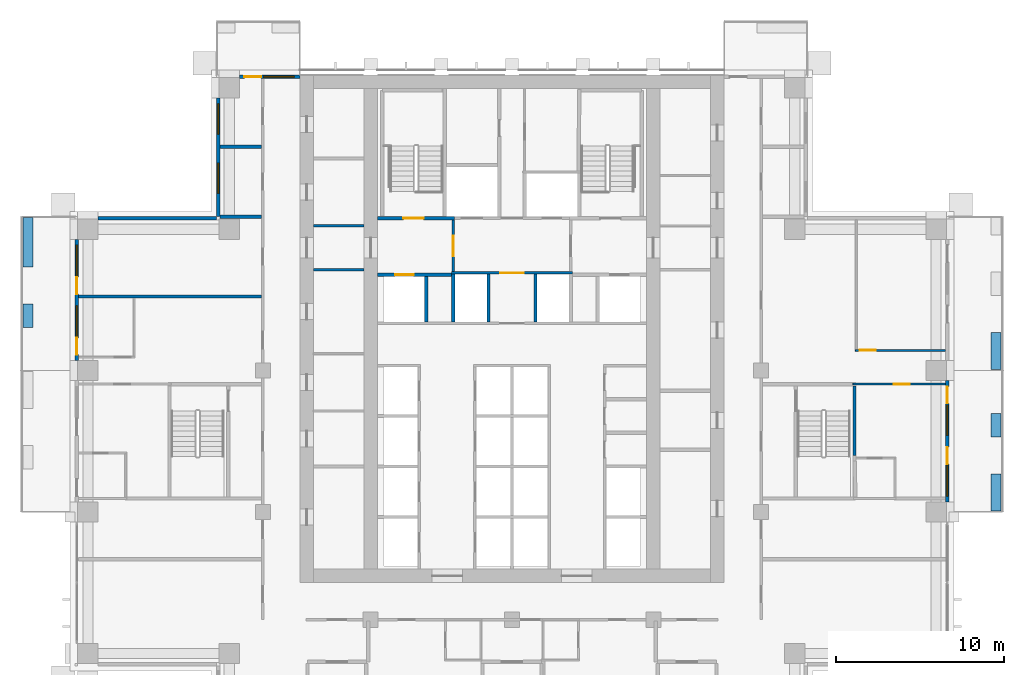
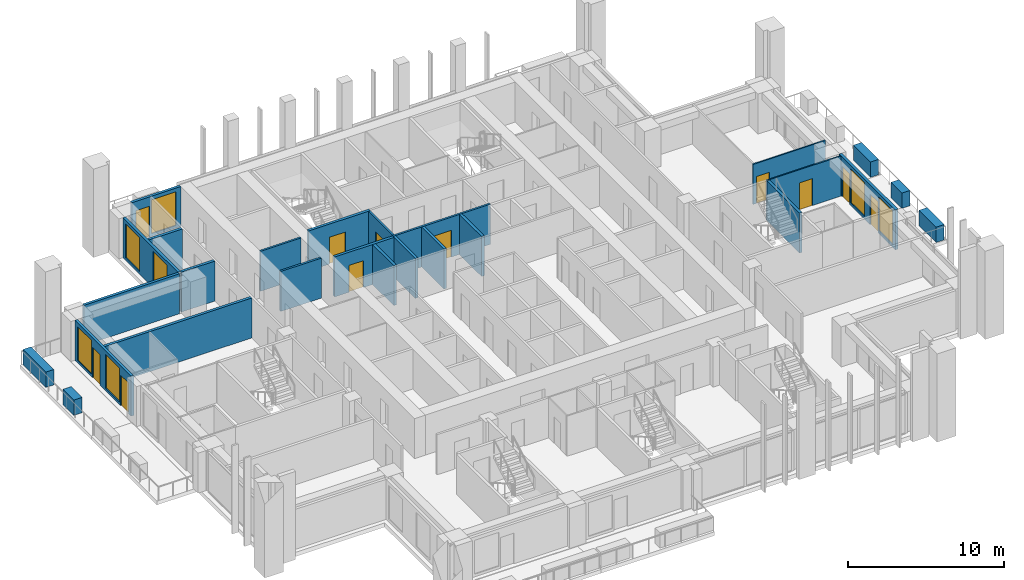
# One storey, part 10 of 17: 26 walls, 11 doors, 7 windows, 18 openings.
"""IFC4 building model written with IfcOpenShell, lengths in metres."""

from ifc_helpers import new_model, si_unit, direction, frame, frame_2d, origin, place, context, subcontext, project, spatial, rectangle, extrude, material, layer, layer_set, type_object, element, fill, save


model = new_model("IFC4")

# Units and contexts
model_context = context("Model", 3, precision=1e-05, world=origin(), true_north=direction((0.0, 1.0)))
body_context = subcontext(model_context, "Body", "Model", "MODEL_VIEW")
ifc_project = project(units=[si_unit("LENGTHUNIT", "METRE"), si_unit("AREAUNIT", "SQUARE_METRE"), si_unit("VOLUMEUNIT", "CUBIC_METRE"), si_unit("PLANEANGLEUNIT", "RADIAN"), si_unit("MASSUNIT", "GRAM", prefix="KILO")], contexts=[model_context])

# Site, building, storey
site_placement = place(None, origin())
site = spatial("IfcSite", under=ifc_project, at=site_placement, CompositionType="ELEMENT")
building_placement = place(site_placement, origin())
building = spatial("IfcBuilding", under=site, at=building_placement, Name="Vermilion Ogive Tower", CompositionType="ELEMENT")
storey_placement = place(building_placement, frame((0.0, 0.0, 97.64990234375)))
storey = spatial("IfcBuildingStorey", under=building, at=storey_placement, Name="L24", CompositionType="ELEMENT", Elevation=97.64990234375)

# Wall, opening, door
ifc_material_1 = material(Name="Gypsum board partition on steel studs", Category="steel")
ifc_layer_1 = layer(ifc_material_1, 0.10009765625)
ifc_layer_set_1 = layer_set([ifc_layer_1], Name="Partition 100 inner")
wall_type_1 = type_object("IfcWallType", Name="Partition 100 inner", PredefinedType="PARTITIONING", material=ifc_layer_set_1)
wall_1_placement = place(storey_placement, frame((20.25, 3.39990234375, 0.0), z_axis=(0.0, 0.0, 1.0), x_axis=(1.0, 0.0, 0.0)))
wall_1 = element("IfcWall", 1, at=wall_1_placement, inside=storey, type_object=wall_type_1, Name="L24-W-W024", PredefinedType="PARTITIONING", context=body_context, shape_type="SweptSolid", body=[
    extrude(rectangle(XDim=5.5, YDim=0.10009765625, at=frame_2d((2.75, 0.0))), origin(), (0.0, 0.0, 1.0), 3.130126953125),
])
opening_1_placement = place(wall_1_placement, frame((2.425048828125, 0.0, 0.0)))
opening_1 = element("IfcOpeningElement", 2, at=opening_1_placement, cuts=wall_1, Name="Opening D2G3016", PredefinedType="OPENING", context=body_context, shape_type="SweptSolid", body=[
    extrude(rectangle(XDim=0.949951171875, YDim=2.10009765625, at=frame_2d((0.47509765625, 1.050048828125))), frame((0.0, 0.06005859375, 0.0), z_axis=(0.0, -1.0, 0.0), x_axis=(1.0, 0.0, 0.0)), (0.0, 0.0, 1.0), 0.1201171875),
])
ifc_material_2 = material(Name="Timber door leaf", Category="wood")
door_type_1 = type_object("IfcDoorType", Name="Inner door 950 x 2100 FD30", OperationType="SINGLE_SWING_LEFT", PredefinedType="DOOR", material=ifc_material_2)
door_1_placement = place(opening_1_placement, origin())
door_1 = element("IfcDoor", 3, at=door_1_placement, inside=storey, type_object=door_type_1, Name="L24-D-D016", OperationType="SINGLE_SWING_LEFT", OverallHeight=2.10009765625, OverallWidth=0.949951171875, PredefinedType="DOOR", context=body_context, shape_type="SweptSolid", body=[
    extrude(rectangle(XDim=0.949951171875, YDim=2.10009765625, at=frame_2d((0.47509765625, 1.050048828125))), frame((0.0, 0.02490234375, 0.0), z_axis=(0.0, -1.0, 0.0), x_axis=(1.0, 0.0, 0.0)), (0.0, 0.0, 1.0), 0.050048828125),
])
fill(opening_1, door_1)

wall_2_placement = place(storey_placement, frame((20.39990234375, 5.39990234375, 0.0), z_axis=(0.0, 0.0, 1.0), x_axis=(1.0, 0.0, 0.0)))
wall_2 = element("IfcWall", 4, at=wall_2_placement, inside=storey, type_object=wall_type_1, Name="L24-W-W026", PredefinedType="PARTITIONING", context=body_context, shape_type="SweptSolid", body=[
    extrude(rectangle(XDim=5.35009765625, YDim=0.10009765625, at=frame_2d((2.675048828125, 0.0))), origin(), (0.0, 0.0, 1.0), 3.130126953125),
])
opening_2_placement = place(wall_2_placement, frame((0.25, 0.0, 0.0)))
opening_2 = element("IfcOpeningElement", 5, at=opening_2_placement, cuts=wall_2, Name="Opening D2G3014", PredefinedType="OPENING", context=body_context, shape_type="SweptSolid", body=[
    extrude(rectangle(XDim=0.949951171875, YDim=2.10009765625, at=frame_2d((0.47509765625, 1.050048828125))), frame((0.0, 0.06005859375, 0.0), z_axis=(0.0, -1.0, 0.0), x_axis=(1.0, 0.0, 0.0)), (0.0, 0.0, 1.0), 0.1201171875),
])
door_2_placement = place(opening_2_placement, origin())
door_2 = element("IfcDoor", 6, at=door_2_placement, inside=storey, type_object=door_type_1, Name="L24-D-D014", OperationType="SINGLE_SWING_LEFT", OverallHeight=2.10009765625, OverallWidth=0.949951171875, PredefinedType="DOOR", context=body_context, shape_type="SweptSolid", body=[
    extrude(rectangle(XDim=0.949951171875, YDim=2.10009765625, at=frame_2d((0.47509765625, 1.050048828125))), frame((0.0, 0.02490234375, 0.0), z_axis=(0.0, -1.0, 0.0), x_axis=(1.0, 0.0, 0.0)), (0.0, 0.0, 1.0), 0.050048828125),
])
fill(opening_2, door_2)

ifc_material_3 = material(Name="Gypsum board partition on steel studs", Category="steel")
ifc_layer_2 = layer(ifc_material_3, 0.14990234375)
ifc_layer_set_2 = layer_set([ifc_layer_2], Name="Partition 150 corridor")
wall_type_2 = type_object("IfcWallType", Name="Partition 150 corridor", PredefinedType="PARTITIONING", material=ifc_layer_set_2)
wall_3_placement = place(storey_placement, frame((-3.60009765625, 10.0, 0.0), z_axis=(0.0, 0.0, 1.0), x_axis=(1.0, 0.0, 0.0)))
wall_3 = element("IfcWall", 7, at=wall_3_placement, inside=storey, type_object=wall_type_2, Name="L24-CK-W-W017", PredefinedType="PARTITIONING", context=body_context, shape_type="SweptSolid", body=[
    extrude(rectangle(XDim=7.2001953125, YDim=0.14990234375, at=frame_2d((3.60009765625, 0.0))), origin(), (0.0, 0.0, 1.0), 3.130126953125),
])
opening_3_placement = place(wall_3_placement, frame((2.900146484375, 0.0, 0.0)))
opening_3 = element("IfcOpeningElement", 8, at=opening_3_placement, cuts=wall_3, Name="Opening DAA187", PredefinedType="OPENING", context=body_context, shape_type="SweptSolid", body=[
    extrude(rectangle(XDim=1.39990234375, YDim=2.10009765625, at=frame_2d((0.699951171875, 1.050048828125))), frame((0.0, 0.0849609375, 0.0), z_axis=(0.0, -1.0, 0.0), x_axis=(1.0, 0.0, 0.0)), (0.0, 0.0, 1.0), 0.169921875),
])
ifc_material_4 = material(Name="Timber door leaf", Category="wood")
door_type_2 = type_object("IfcDoorType", Name="Lobby door 1400 x 2100 FD60S", OperationType="SINGLE_SWING_LEFT", PredefinedType="DOOR", material=ifc_material_4)
door_3_placement = place(opening_3_placement, origin())
door_3 = element("IfcDoor", 9, at=door_3_placement, inside=storey, type_object=door_type_2, Name="L24-CK-D-D017", OperationType="SINGLE_SWING_RIGHT", OverallHeight=2.10009765625, OverallWidth=1.39990234375, PredefinedType="DOOR", context=body_context, shape_type="SweptSolid", body=[
    extrude(rectangle(XDim=1.39990234375, YDim=2.10009765625, at=frame_2d((0.699951171875, 1.050048828125))), frame((0.0, 0.02490234375, 0.0), z_axis=(0.0, -1.0, 0.0), x_axis=(1.0, 0.0, 0.0)), (0.0, 0.0, 1.0), 0.050048828125),
])
fill(opening_3, door_3)

wall_4_placement = place(storey_placement, frame((-3.5, 10.074951171875, 0.0), z_axis=(0.0, 0.0, 1.0), x_axis=(0.0, 1.0, 0.0)))
wall_4 = element("IfcWall", 10, at=wall_4_placement, inside=storey, type_object=wall_type_2, Name="L24-CK-W-W027", PredefinedType="PARTITIONING", context=body_context, shape_type="SweptSolid", body=[
    extrude(rectangle(XDim=3.074951171875, YDim=0.14990234375, at=frame_2d((1.53759765625, 0.0))), origin(), (0.0, 0.0, 1.0), 3.130126953125),
])
opening_4_placement = place(wall_4_placement, frame((0.925048828125, 0.0, 0.0)))
opening_4 = element("IfcOpeningElement", 11, at=opening_4_placement, cuts=wall_4, Name="Opening DAA184", PredefinedType="OPENING", context=body_context, shape_type="SweptSolid", body=[
    extrude(rectangle(XDim=1.199951171875, YDim=2.10009765625, at=frame_2d((0.60009765625, 1.050048828125))), frame((0.0, 0.0849609375, 0.0), z_axis=(0.0, -1.0, 0.0), x_axis=(1.0, 0.0, 0.0)), (0.0, 0.0, 1.0), 0.169921875),
])
ifc_material_5 = material(Name="Timber door leaf", Category="wood")
door_type_3 = type_object("IfcDoorType", Name="Lobby door 1200 x 2100 FD60S", OperationType="SINGLE_SWING_LEFT", PredefinedType="DOOR", material=ifc_material_5)
door_4_placement = place(opening_4_placement, origin())
door_4 = element("IfcDoor", 12, at=door_4_placement, inside=storey, type_object=door_type_3, Name="L24-CK-D-D023", OperationType="SINGLE_SWING_RIGHT", OverallHeight=2.10009765625, OverallWidth=1.199951171875, PredefinedType="DOOR", context=body_context, shape_type="SweptSolid", body=[
    extrude(rectangle(XDim=1.199951171875, YDim=2.10009765625, at=frame_2d((0.60009765625, 1.050048828125))), frame((0.0, 0.02490234375, 0.0), z_axis=(0.0, -1.0, 0.0), x_axis=(1.0, 0.0, 0.0)), (0.0, 0.0, 1.0), 0.050048828125),
])
fill(opening_4, door_4)

# Walls
for number, where, z_axis, x_axis, name in (
    (13, (-11.799072265625, 10.199951171875, 0.0), (0.0, 0.0, 1.0), (1.0, 0.0, 0.0), "L24-CKW-W-W004"),
    (14, (-11.799072265625, 12.800048828125, 0.0), (0.0, 0.0, 1.0), (1.0, 0.0, 0.0), "L24-CKW-W-W005"),
):
    element("IfcWall", number, at=place(storey_placement, frame(where, z_axis=z_axis, x_axis=x_axis)), inside=storey, type_object=wall_type_2, Name=name, PredefinedType="PARTITIONING", context=body_context, shape_type="SweptSolid", body=[
        extrude(rectangle(XDim=2.998046875, YDim=0.14990234375, at=frame_2d((1.4990234375, 0.0))), origin(), (0.0, 0.0, 1.0), 3.130126953125),
    ])
ifc_material_6 = material(Name="Gypsum board partition on steel studs", Category="steel")
ifc_layer_3 = layer(ifc_material_6, 0.199951171875)
ifc_layer_set_3 = layer_set([ifc_layer_3], Name="Partition 200 party")
wall_type_3 = type_object("IfcWallType", Name="Partition 200 party", PredefinedType="PARTITIONING", material=ifc_layer_set_3)
wall_5_placement = place(storey_placement, frame((-25.75, 8.60009765625, 0.0), z_axis=(0.0, 0.0, 1.0), x_axis=(1.0, 0.0, 0.0)))
element("IfcWall", 15, at=wall_5_placement, inside=storey, type_object=wall_type_3, Name="L24-W-W027", PredefinedType="PARTITIONING", context=body_context, shape_type="SweptSolid", body=[
    extrude(rectangle(XDim=10.875, YDim=0.199951171875, at=frame_2d((5.4375, 0.0))), origin(), (0.0, 0.0, 1.0), 3.130126953125),
])
for number, where, z_axis, x_axis, name in (
    (16, (-17.35009765625, 13.35009765625, 0.0), (0.0, 0.0, 1.0), (1.0, 0.0, 0.0), "L24-W-W028"),
    (17, (-17.35009765625, 17.5, 0.0), (0.0, 0.0, 1.0), (1.0, 0.0, 0.0), "L24-W-W030"),
):
    element("IfcWall", number, at=place(storey_placement, frame(where, z_axis=z_axis, x_axis=x_axis)), inside=storey, type_object=wall_type_3, Name=name, PredefinedType="PARTITIONING", context=body_context, shape_type="SweptSolid", body=[
        extrude(rectangle(XDim=2.47509765625, YDim=0.199951171875, at=frame_2d((1.237548828125, 0.0))), origin(), (0.0, 0.0, 1.0), 3.130126953125),
    ])

# Wall, opening, door
wall_6_placement = place(storey_placement, frame((-7.9990234375, 9.89990234375, 0.0), z_axis=(0.0, 0.0, 1.0), x_axis=(1.0, 0.0, 0.0)))
wall_6 = element("IfcWall", 18, at=wall_6_placement, inside=storey, type_object=wall_type_3, Name="L24-CK-W-W015", PredefinedType="PARTITIONING", context=body_context, shape_type="SweptSolid", body=[
    extrude(rectangle(XDim=4.39892578125, YDim=0.199951171875, at=frame_2d((2.199462890625, 0.0))), origin(), (0.0, 0.0, 1.0), 3.130126953125),
])
opening_5_placement = place(wall_6_placement, frame((1.049072265625, 0.0, 0.0)))
opening_5 = element("IfcOpeningElement", 19, at=opening_5_placement, cuts=wall_6, Name="Opening DAA206", PredefinedType="OPENING", context=body_context, shape_type="SweptSolid", body=[
    extrude(rectangle(XDim=1.10009765625, YDim=2.10009765625, at=frame_2d((0.550048828125, 1.050048828125))), frame((0.0, 0.10986328125, 0.0), z_axis=(0.0, -1.0, 0.0), x_axis=(1.0, 0.0, 0.0)), (0.0, 0.0, 1.0), 0.219970703125),
])
ifc_material_7 = material(Name="Stainless steel", Category="steel")
door_type_4 = type_object("IfcDoorType", Name="Lift landing door 1100 x 2100", OperationType="SLIDING_TO_LEFT", PredefinedType="DOOR", material=ifc_material_7)
door_5_placement = place(opening_5_placement, origin())
door_5 = element("IfcDoor", 20, at=door_5_placement, inside=storey, type_object=door_type_4, Name="L24-CK-D-D013", OperationType="SLIDING_TO_LEFT", OverallHeight=2.10009765625, OverallWidth=1.10009765625, PredefinedType="DOOR", context=body_context, shape_type="SweptSolid", body=[
    extrude(rectangle(XDim=1.10009765625, YDim=2.10009765625, at=frame_2d((0.550048828125, 1.050048828125))), frame((0.0, 0.02490234375, 0.0), z_axis=(0.0, -1.0, 0.0), x_axis=(1.0, 0.0, 0.0)), (0.0, 0.0, 1.0), 0.050048828125),
])
fill(opening_5, door_5)

# Walls
wall_7_placement = place(storey_placement, frame((-5.10009765625, 7.074951171875, 0.0), z_axis=(0.0, 0.0, 1.0), x_axis=(0.0, 1.0, 0.0)))
element("IfcWall", 21, at=wall_7_placement, inside=storey, type_object=wall_type_3, Name="L24-CK-W-W024", PredefinedType="PARTITIONING", context=body_context, shape_type="SweptSolid", body=[
    extrude(rectangle(XDim=2.72509765625, YDim=0.199951171875, at=frame_2d((1.362548828125, 0.0))), origin(), (0.0, 0.0, 1.0), 3.130126953125),
])
for number, where, z_axis, x_axis, name in (
    (22, (-3.5, 7.074951171875, 0.0), (0.0, 0.0, 1.0), (0.0, 1.0, 0.0), "L24-CK-W-W026"),
    (23, (-1.39990234375, 7.074951171875, 0.0), (0.0, 0.0, 1.0), (0.0, 1.0, 0.0), "L24-CK-W-W029"),
    (24, (1.39990234375, 7.074951171875, 0.0), (0.0, 0.0, 1.0), (0.0, 1.0, 0.0), "L24-CK-W-W034"),
):
    element("IfcWall", number, at=place(storey_placement, frame(where, z_axis=z_axis, x_axis=x_axis)), inside=storey, type_object=wall_type_3, Name=name, PredefinedType="PARTITIONING", context=body_context, shape_type="SweptSolid", body=[
        extrude(rectangle(XDim=2.85009765625, YDim=0.199951171875, at=frame_2d((1.425048828125, 0.0))), origin(), (0.0, 0.0, 1.0), 3.130126953125),
    ])
ifc_material_8 = material(Name="Concrete B60", Category="concrete")
ifc_layer_4 = layer(ifc_material_8, 0.199951171875)
ifc_layer_set_4 = layer_set([ifc_layer_4], Name="Stair shaft wall 200 Concrete B60")
wall_type_4 = type_object("IfcWallType", Name="Stair shaft wall 200 Concrete B60", PredefinedType="SOLIDWALL", material=ifc_layer_set_4)
wall_8_placement = place(storey_placement, frame((20.35009765625, -0.830078125, 0.0), z_axis=(0.0, 0.0, 1.0), x_axis=(0.0, 1.0, 0.0)))
element("IfcWall", 25, at=wall_8_placement, inside=storey, type_object=wall_type_4, Name="L24-W-W049", PredefinedType="SOLIDWALL", context=body_context, shape_type="SweptSolid", body=[
    extrude(rectangle(XDim=4.130126953125, YDim=0.199951171875, at=frame_2d((2.06494140625, 0.0))), origin(), (0.0, 0.0, 1.0), 3.130126953125),
])

# Wall, opening, door
wall_9_placement = place(storey_placement, frame((-7.9990234375, 13.25, 0.0), z_axis=(0.0, 0.0, 1.0), x_axis=(1.0, 0.0, 0.0)))
wall_9 = element("IfcWall", 26, at=wall_9_placement, inside=storey, type_object=wall_type_4, Name="L24-CK-W-W018", PredefinedType="SOLIDWALL", context=body_context, shape_type="SweptSolid", body=[
    extrude(rectangle(XDim=4.573974609375, YDim=0.199951171875, at=frame_2d((2.287109375, 0.0))), origin(), (0.0, 0.0, 1.0), 3.130126953125),
])
opening_6_placement = place(wall_9_placement, frame((1.549072265625, 0.0, 0.0)))
opening_6 = element("IfcOpeningElement", 27, at=opening_6_placement, cuts=wall_9, Name="Opening DAA194", PredefinedType="OPENING", context=body_context, shape_type="SweptSolid", body=[
    extrude(rectangle(XDim=1.199951171875, YDim=2.10009765625, at=frame_2d((0.60009765625, 1.050048828125))), frame((0.0, 0.10986328125, 0.0), z_axis=(0.0, -1.0, 0.0), x_axis=(1.0, 0.0, 0.0)), (0.0, 0.0, 1.0), 0.219970703125),
])
ifc_material_9 = material(Name="Timber door leaf", Category="wood")
door_type_5 = type_object("IfcDoorType", Name="Stair door 1200 x 2100 FD60S", OperationType="SINGLE_SWING_LEFT", PredefinedType="DOOR", material=ifc_material_9)
door_6_placement = place(opening_6_placement, origin())
door_6 = element("IfcDoor", 28, at=door_6_placement, inside=storey, type_object=door_type_5, Name="L24-CK-D-D012", OperationType="SINGLE_SWING_LEFT", OverallHeight=2.10009765625, OverallWidth=1.199951171875, PredefinedType="DOOR", context=body_context, shape_type="SweptSolid", body=[
    extrude(rectangle(XDim=1.199951171875, YDim=2.10009765625, at=frame_2d((0.60009765625, 1.050048828125))), frame((0.0, 0.02490234375, 0.0), z_axis=(0.0, -1.0, 0.0), x_axis=(1.0, 0.0, 0.0)), (0.0, 0.0, 1.0), 0.050048828125),
])
fill(opening_6, door_6)

# Walls
ifc_material_10 = material(Name="Concrete B40", Category="concrete")
ifc_layer_5 = layer(ifc_material_10, 0.60009765625)
ifc_layer_set_5 = layer_set([ifc_layer_5], Name="Structural planter")
wall_type_5 = type_object("IfcWallType", Name="Structural planter", PredefinedType="USERDEFINED", material=ifc_layer_set_5)
wall_10_placement = place(storey_placement, frame((28.75, -4.139892578125, -0.039794921875), z_axis=(0.0, 0.0, 1.0), x_axis=(0.0, 1.0, 0.0)))
element("IfcWall", 29, at=wall_10_placement, inside=storey, type_object=wall_type_5, Name="Planter E02A1", ObjectType="PLANTER", PredefinedType="USERDEFINED", context=body_context, shape_type="SweptSolid", body=[
    extrude(rectangle(XDim=2.18994140625, YDim=0.60009765625, at=frame_2d((1.094970703125, 0.0))), origin(), (0.0, 0.0, 1.0), 1.199951171875),
])
wall_11_placement = place(storey_placement, frame((28.75, 0.25, -0.039794921875), z_axis=(0.0, 0.0, 1.0), x_axis=(0.0, 1.0, 0.0)))
element("IfcWall", 30, at=wall_11_placement, inside=storey, type_object=wall_type_5, Name="Planter E02A2", ObjectType="PLANTER", PredefinedType="USERDEFINED", context=body_context, shape_type="SweptSolid", body=[
    extrude(rectangle(XDim=1.39990234375, YDim=0.60009765625, at=frame_2d((0.699951171875, 0.0))), origin(), (0.0, 0.0, 1.0), 1.199951171875),
])
wall_12_placement = place(storey_placement, frame((28.75, 4.260009765625, -0.039794921875), z_axis=(0.0, 0.0, 1.0), x_axis=(0.0, 1.0, 0.0)))
element("IfcWall", 31, at=wall_12_placement, inside=storey, type_object=wall_type_5, Name="Planter E03A1", ObjectType="PLANTER", PredefinedType="USERDEFINED", context=body_context, shape_type="SweptSolid", body=[
    extrude(rectangle(XDim=2.18994140625, YDim=0.60009765625, at=frame_2d((1.094970703125, 0.0))), origin(), (0.0, 0.0, 1.0), 1.199951171875),
])
wall_13_placement = place(storey_placement, frame((-28.75, 13.2900390625, -0.039794921875), z_axis=(0.0, 0.0, 1.0), x_axis=(0.0, -1.0, 0.0)))
element("IfcWall", 32, at=wall_13_placement, inside=storey, type_object=wall_type_5, Name="Planter W01A1", ObjectType="PLANTER", PredefinedType="USERDEFINED", context=body_context, shape_type="SweptSolid", body=[
    extrude(rectangle(XDim=2.93994140625, YDim=0.60009765625, at=frame_2d((1.469970703125, 0.0))), origin(), (0.0, 0.0, 1.0), 1.199951171875),
])
wall_14_placement = place(storey_placement, frame((-28.75, 8.14990234375, -0.039794921875), z_axis=(0.0, 0.0, 1.0), x_axis=(0.0, -1.0, 0.0)))
element("IfcWall", 33, at=wall_14_placement, inside=storey, type_object=wall_type_5, Name="Planter W01A2", ObjectType="PLANTER", PredefinedType="USERDEFINED", context=body_context, shape_type="SweptSolid", body=[
    extrude(rectangle(XDim=1.39990234375, YDim=0.60009765625, at=frame_2d((0.699951171875, 0.0))), origin(), (0.0, 0.0, 1.0), 1.199951171875),
])

# Wall, openings, doors, windows
ifc_material_11 = material(Name="Aluminium window wall framing", Category="aluminium")
ifc_layer_6 = layer(ifc_material_11, 0.199951171875)
ifc_layer_set_6 = layer_set([ifc_layer_6], Name="Window wall")
wall_type_6 = type_object("IfcWallType", Name="Window wall", PredefinedType="STANDARD", material=ifc_layer_set_6)
wall_15_placement = place(storey_placement, frame((25.85009765625, -3.60009765625, 0.0), z_axis=(0.0, 0.0, 1.0), x_axis=(0.0, 1.0, 0.0)))
wall_15 = element("IfcWall", 34, at=wall_15_placement, inside=storey, type_object=wall_type_6, Name="Window wall E2", PredefinedType="STANDARD", context=body_context, shape_type="SweptSolid", body=[
    extrude(rectangle(XDim=7.2001953125, YDim=0.199951171875, at=frame_2d((3.60009765625, 0.0))), origin(), (0.0, 0.0, 1.0), 3.130126953125),
])
opening_7_placement = place(wall_15_placement, frame((0.35009765625, 0.0, 0.199951171875)))
opening_7 = element("IfcOpeningElement", 35, at=opening_7_placement, cuts=wall_15, Name="Opening W1-E99", PredefinedType="OPENING", context=body_context, shape_type="SweptSolid", body=[
    extrude(rectangle(XDim=1.800048828125, YDim=2.64990234375, at=frame_2d((0.89990234375, 1.324951171875))), frame((0.0, 0.10986328125, 0.0), z_axis=(0.0, -1.0, 0.0), x_axis=(1.0, 0.0, 0.0)), (0.0, 0.0, 1.0), 0.219970703125),
])
opening_8_placement = place(wall_15_placement, frame((2.25, 0.0, 0.0)))
opening_8 = element("IfcOpeningElement", 36, at=opening_8_placement, cuts=wall_15, Name="Opening D1-E99", PredefinedType="OPENING", context=body_context, shape_type="SweptSolid", body=[
    extrude(rectangle(XDim=1.0, YDim=2.39990234375, at=frame_2d((0.5, 1.199951171875))), frame((0.0, 0.10986328125, 0.0), z_axis=(0.0, -1.0, 0.0), x_axis=(1.0, 0.0, 0.0)), (0.0, 0.0, 1.0), 0.219970703125),
])
opening_9_placement = place(wall_15_placement, frame((3.949951171875, 0.0, 0.199951171875)))
opening_9 = element("IfcOpeningElement", 37, at=opening_9_placement, cuts=wall_15, Name="Opening W1-E00", PredefinedType="OPENING", context=body_context, shape_type="SweptSolid", body=[
    extrude(rectangle(XDim=1.800048828125, YDim=2.64990234375, at=frame_2d((0.89990234375, 1.324951171875))), frame((0.0, 0.10986328125, 0.0), z_axis=(0.0, -1.0, 0.0), x_axis=(1.0, 0.0, 0.0)), (0.0, 0.0, 1.0), 0.219970703125),
])
opening_10_placement = place(wall_15_placement, frame((5.85009765625, 0.0, 0.0)))
opening_10 = element("IfcOpeningElement", 38, at=opening_10_placement, cuts=wall_15, Name="Opening D1-E00", PredefinedType="OPENING", context=body_context, shape_type="SweptSolid", body=[
    extrude(rectangle(XDim=1.0, YDim=2.39990234375, at=frame_2d((0.5, 1.199951171875))), frame((0.0, 0.10986328125, 0.0), z_axis=(0.0, -1.0, 0.0), x_axis=(1.0, 0.0, 0.0)), (0.0, 0.0, 1.0), 0.219970703125),
])
ifc_material_12 = material(Name="Aluminium framed glazed door", Category="aluminium")
door_type_6 = type_object("IfcDoorType", Name="Balcony door D1", OperationType="SINGLE_SWING_LEFT", PredefinedType="DOOR", material=ifc_material_12)
door_7_placement = place(opening_8_placement, origin())
door_7 = element("IfcDoor", 39, at=door_7_placement, inside=storey, type_object=door_type_6, Name="Balcony door E99", OperationType="SINGLE_SWING_LEFT", OverallHeight=2.39990234375, OverallWidth=1.0, PredefinedType="DOOR", context=body_context, shape_type="SweptSolid", body=[
    extrude(rectangle(XDim=1.0, YDim=2.39990234375, at=frame_2d((0.5, 1.199951171875))), frame((0.0, 0.02490234375, 0.0), z_axis=(0.0, -1.0, 0.0), x_axis=(1.0, 0.0, 0.0)), (0.0, 0.0, 1.0), 0.050048828125),
])
fill(opening_8, door_7)
door_8_placement = place(opening_10_placement, origin())
door_8 = element("IfcDoor", 40, at=door_8_placement, inside=storey, type_object=door_type_6, Name="Balcony door E00", OperationType="SINGLE_SWING_LEFT", OverallHeight=2.39990234375, OverallWidth=1.0, PredefinedType="DOOR", context=body_context, shape_type="SweptSolid", body=[
    extrude(rectangle(XDim=1.0, YDim=2.39990234375, at=frame_2d((0.5, 1.199951171875))), frame((0.0, 0.02490234375, 0.0), z_axis=(0.0, -1.0, 0.0), x_axis=(1.0, 0.0, 0.0)), (0.0, 0.0, 1.0), 0.050048828125),
])
fill(opening_10, door_8)
ifc_material_13 = material(Name="Aluminium framed double glazing", Category="aluminium")
window_type = type_object("IfcWindowType", Name="Guest window W1", PartitioningType="SINGLE_PANEL", PredefinedType="WINDOW", material=ifc_material_13)
window_1_placement = place(opening_7_placement, origin())
window_1 = element("IfcWindow", 41, at=window_1_placement, inside=storey, type_object=window_type, Name="Window E99", OverallHeight=2.64990234375, OverallWidth=1.800048828125, PartitioningType="SINGLE_PANEL", PredefinedType="WINDOW", context=body_context, shape_type="SweptSolid", body=[
    extrude(rectangle(XDim=1.800048828125, YDim=2.64990234375, at=frame_2d((0.89990234375, 1.324951171875))), frame((0.0, 0.030029296875, 0.0), z_axis=(0.0, -1.0, 0.0), x_axis=(1.0, 0.0, 0.0)), (0.0, 0.0, 1.0), 0.06005859375),
])
fill(opening_7, window_1)
window_2_placement = place(opening_9_placement, origin())
window_2 = element("IfcWindow", 42, at=window_2_placement, inside=storey, type_object=window_type, Name="Window E00", OverallHeight=2.64990234375, OverallWidth=1.800048828125, PartitioningType="SINGLE_PANEL", PredefinedType="WINDOW", context=body_context, shape_type="SweptSolid", body=[
    extrude(rectangle(XDim=1.800048828125, YDim=2.64990234375, at=frame_2d((0.89990234375, 1.324951171875))), frame((0.0, 0.030029296875, 0.0), z_axis=(0.0, -1.0, 0.0), x_axis=(1.0, 0.0, 0.0)), (0.0, 0.0, 1.0), 0.06005859375),
])
fill(opening_9, window_2)

# Wall, openings, door, window
wall_16_placement = place(storey_placement, frame((-12.60009765625, 21.64990234375, 0.0), z_axis=(0.0, 0.0, 1.0), x_axis=(-1.0, 0.0, 0.0)))
wall_16 = element("IfcWall", 43, at=wall_16_placement, inside=storey, type_object=wall_type_6, Name="Window wall N21", PredefinedType="STANDARD", context=body_context, shape_type="SweptSolid", body=[
    extrude(rectangle(XDim=3.599853515625, YDim=0.199951171875, at=frame_2d((1.7998046875, 0.0))), origin(), (0.0, 0.0, 1.0), 3.130126953125),
])
opening_11_placement = place(wall_16_placement, frame((0.35009765625, 0.0, 0.199951171875)))
opening_11 = element("IfcOpeningElement", 44, at=opening_11_placement, cuts=wall_16, Name="Opening W1-N296", PredefinedType="OPENING", context=body_context, shape_type="SweptSolid", body=[
    extrude(rectangle(XDim=1.800048828125, YDim=2.64990234375, at=frame_2d((0.89990234375, 1.324951171875))), frame((0.0, 0.10986328125, 0.0), z_axis=(0.0, -1.0, 0.0), x_axis=(1.0, 0.0, 0.0)), (0.0, 0.0, 1.0), 0.219970703125),
])
opening_12_placement = place(wall_16_placement, frame((2.300048828125, 0.0, 0.0)))
opening_12 = element("IfcOpeningElement", 45, at=opening_12_placement, cuts=wall_16, Name="Opening D1-N296", PredefinedType="OPENING", context=body_context, shape_type="SweptSolid", body=[
    extrude(rectangle(XDim=1.0, YDim=2.39990234375, at=frame_2d((0.5, 1.199951171875))), frame((0.0, 0.10986328125, 0.0), z_axis=(0.0, -1.0, 0.0), x_axis=(1.0, 0.0, 0.0)), (0.0, 0.0, 1.0), 0.219970703125),
])
door_9_placement = place(opening_12_placement, origin())
door_9 = element("IfcDoor", 46, at=door_9_placement, inside=storey, type_object=door_type_6, Name="Balcony door N296", OperationType="SINGLE_SWING_LEFT", OverallHeight=2.39990234375, OverallWidth=1.0, PredefinedType="DOOR", context=body_context, shape_type="SweptSolid", body=[
    extrude(rectangle(XDim=1.0, YDim=2.39990234375, at=frame_2d((0.5, 1.199951171875))), frame((0.0, 0.02490234375, 0.0), z_axis=(0.0, -1.0, 0.0), x_axis=(1.0, 0.0, 0.0)), (0.0, 0.0, 1.0), 0.050048828125),
])
fill(opening_12, door_9)
window_3_placement = place(opening_11_placement, origin())
window_3 = element("IfcWindow", 47, at=window_3_placement, inside=storey, type_object=window_type, Name="Window N296", OverallHeight=2.64990234375, OverallWidth=1.800048828125, PartitioningType="SINGLE_PANEL", PredefinedType="WINDOW", context=body_context, shape_type="SweptSolid", body=[
    extrude(rectangle(XDim=1.800048828125, YDim=2.64990234375, at=frame_2d((0.89990234375, 1.324951171875))), frame((0.0, 0.030029296875, 0.0), z_axis=(0.0, -1.0, 0.0), x_axis=(1.0, 0.0, 0.0)), (0.0, 0.0, 1.0), 0.06005859375),
])
fill(opening_11, window_3)

# Wall, openings, windows
wall_17_placement = place(storey_placement, frame((-17.449951171875, 20.39990234375, 0.0), z_axis=(0.0, 0.0, 1.0), x_axis=(0.0, -1.0, 0.0)))
wall_17 = element("IfcWall", 48, at=wall_17_placement, inside=storey, type_object=wall_type_6, Name="Window wall X51", PredefinedType="STANDARD", context=body_context, shape_type="SweptSolid", body=[
    extrude(rectangle(XDim=7.0498046875, YDim=0.199951171875, at=frame_2d((3.52490234375, 0.0))), origin(), (0.0, 0.0, 1.0), 3.130126953125),
])
opening_13_placement = place(wall_17_placement, frame((3.875, 0.0, 0.199951171875)))
opening_13 = element("IfcOpeningElement", 49, at=opening_13_placement, cuts=wall_17, Name="Opening W1-X503", PredefinedType="OPENING", context=body_context, shape_type="SweptSolid", body=[
    extrude(rectangle(XDim=1.800048828125, YDim=2.64990234375, at=frame_2d((0.89990234375, 1.324951171875))), frame((0.0, 0.10986328125, 0.0), z_axis=(0.0, -1.0, 0.0), x_axis=(1.0, 0.0, 0.0)), (0.0, 0.0, 1.0), 0.219970703125),
])
opening_14_placement = place(wall_17_placement, frame((0.35009765625, 0.0, 0.199951171875)))
opening_14 = element("IfcOpeningElement", 50, at=opening_14_placement, cuts=wall_17, Name="Opening W1-X504", PredefinedType="OPENING", context=body_context, shape_type="SweptSolid", body=[
    extrude(rectangle(XDim=1.800048828125, YDim=2.64990234375, at=frame_2d((0.89990234375, 1.324951171875))), frame((0.0, 0.10986328125, 0.0), z_axis=(0.0, -1.0, 0.0), x_axis=(1.0, 0.0, 0.0)), (0.0, 0.0, 1.0), 0.219970703125),
])
window_4_placement = place(opening_13_placement, origin())
window_4 = element("IfcWindow", 51, at=window_4_placement, inside=storey, type_object=window_type, Name="Window X503", OverallHeight=2.64990234375, OverallWidth=1.800048828125, PartitioningType="SINGLE_PANEL", PredefinedType="WINDOW", context=body_context, shape_type="SweptSolid", body=[
    extrude(rectangle(XDim=1.800048828125, YDim=2.64990234375, at=frame_2d((0.89990234375, 1.324951171875))), frame((0.0, 0.030029296875, 0.0), z_axis=(0.0, -1.0, 0.0), x_axis=(1.0, 0.0, 0.0)), (0.0, 0.0, 1.0), 0.06005859375),
])
fill(opening_13, window_4)
window_5_placement = place(opening_14_placement, origin())
window_5 = element("IfcWindow", 52, at=window_5_placement, inside=storey, type_object=window_type, Name="Window X504", OverallHeight=2.64990234375, OverallWidth=1.800048828125, PartitioningType="SINGLE_PANEL", PredefinedType="WINDOW", context=body_context, shape_type="SweptSolid", body=[
    extrude(rectangle(XDim=1.800048828125, YDim=2.64990234375, at=frame_2d((0.89990234375, 1.324951171875))), frame((0.0, 0.030029296875, 0.0), z_axis=(0.0, -1.0, 0.0), x_axis=(1.0, 0.0, 0.0)), (0.0, 0.0, 1.0), 0.06005859375),
])
fill(opening_14, window_5)

# Wall
wall_18_placement = place(storey_placement, frame((-17.550048828125, 13.25, 0.0), z_axis=(0.0, 0.0, 1.0), x_axis=(-1.0, 0.0, 0.0)))
element("IfcWall", 53, at=wall_18_placement, inside=storey, type_object=wall_type_6, Name="Window wall X61", PredefinedType="STANDARD", context=body_context, shape_type="SweptSolid", body=[
    extrude(rectangle(XDim=7.050048828125, YDim=0.199951171875, at=frame_2d((3.52490234375, 0.0))), origin(), (0.0, 0.0, 1.0), 3.130126953125),
])

# Wall, openings, doors, windows
wall_19_placement = place(storey_placement, frame((-25.85009765625, 12.0, 0.0), z_axis=(0.0, 0.0, 1.0), x_axis=(0.0, -1.0, 0.0)))
wall_19 = element("IfcWall", 54, at=wall_19_placement, inside=storey, type_object=wall_type_6, Name="Window wall W1", PredefinedType="STANDARD", context=body_context, shape_type="SweptSolid", body=[
    extrude(rectangle(XDim=7.199951171875, YDim=0.199951171875, at=frame_2d((3.60009765625, 0.0))), origin(), (0.0, 0.0, 1.0), 3.130126953125),
])
opening_15_placement = place(wall_19_placement, frame((3.949951171875, 0.0, 0.199951171875)))
opening_15 = element("IfcOpeningElement", 55, at=opening_15_placement, cuts=wall_19, Name="Opening W1-W01", PredefinedType="OPENING", context=body_context, shape_type="SweptSolid", body=[
    extrude(rectangle(XDim=1.800048828125, YDim=2.64990234375, at=frame_2d((0.89990234375, 1.324951171875))), frame((0.0, 0.10986328125, 0.0), z_axis=(0.0, -1.0, 0.0), x_axis=(1.0, 0.0, 0.0)), (0.0, 0.0, 1.0), 0.219970703125),
])
opening_16_placement = place(wall_19_placement, frame((5.85009765625, 0.0, 0.0)))
opening_16 = element("IfcOpeningElement", 56, at=opening_16_placement, cuts=wall_19, Name="Opening D1-W01", PredefinedType="OPENING", context=body_context, shape_type="SweptSolid", body=[
    extrude(rectangle(XDim=1.0, YDim=2.39990234375, at=frame_2d((0.5, 1.199951171875))), frame((0.0, 0.10986328125, 0.0), z_axis=(0.0, -1.0, 0.0), x_axis=(1.0, 0.0, 0.0)), (0.0, 0.0, 1.0), 0.219970703125),
])
opening_17_placement = place(wall_19_placement, frame((0.35009765625, 0.0, 0.199951171875)))
opening_17 = element("IfcOpeningElement", 57, at=opening_17_placement, cuts=wall_19, Name="Opening W1-W02", PredefinedType="OPENING", context=body_context, shape_type="SweptSolid", body=[
    extrude(rectangle(XDim=1.800048828125, YDim=2.64990234375, at=frame_2d((0.89990234375, 1.324951171875))), frame((0.0, 0.10986328125, 0.0), z_axis=(0.0, -1.0, 0.0), x_axis=(1.0, 0.0, 0.0)), (0.0, 0.0, 1.0), 0.219970703125),
])
opening_18_placement = place(wall_19_placement, frame((2.25, 0.0, 0.0)))
opening_18 = element("IfcOpeningElement", 58, at=opening_18_placement, cuts=wall_19, Name="Opening D1-W02", PredefinedType="OPENING", context=body_context, shape_type="SweptSolid", body=[
    extrude(rectangle(XDim=1.0, YDim=2.39990234375, at=frame_2d((0.5, 1.199951171875))), frame((0.0, 0.10986328125, 0.0), z_axis=(0.0, -1.0, 0.0), x_axis=(1.0, 0.0, 0.0)), (0.0, 0.0, 1.0), 0.219970703125),
])
door_10_placement = place(opening_16_placement, origin())
door_10 = element("IfcDoor", 59, at=door_10_placement, inside=storey, type_object=door_type_6, Name="Balcony door W01", OperationType="SINGLE_SWING_LEFT", OverallHeight=2.39990234375, OverallWidth=1.0, PredefinedType="DOOR", context=body_context, shape_type="SweptSolid", body=[
    extrude(rectangle(XDim=1.0, YDim=2.39990234375, at=frame_2d((0.5, 1.199951171875))), frame((0.0, 0.02490234375, 0.0), z_axis=(0.0, -1.0, 0.0), x_axis=(1.0, 0.0, 0.0)), (0.0, 0.0, 1.0), 0.050048828125),
])
fill(opening_16, door_10)
door_11_placement = place(opening_18_placement, origin())
door_11 = element("IfcDoor", 60, at=door_11_placement, inside=storey, type_object=door_type_6, Name="Balcony door W02", OperationType="SINGLE_SWING_LEFT", OverallHeight=2.39990234375, OverallWidth=1.0, PredefinedType="DOOR", context=body_context, shape_type="SweptSolid", body=[
    extrude(rectangle(XDim=1.0, YDim=2.39990234375, at=frame_2d((0.5, 1.199951171875))), frame((0.0, 0.02490234375, 0.0), z_axis=(0.0, -1.0, 0.0), x_axis=(1.0, 0.0, 0.0)), (0.0, 0.0, 1.0), 0.050048828125),
])
fill(opening_18, door_11)
window_6_placement = place(opening_15_placement, origin())
window_6 = element("IfcWindow", 61, at=window_6_placement, inside=storey, type_object=window_type, Name="Window W01", OverallHeight=2.64990234375, OverallWidth=1.800048828125, PartitioningType="SINGLE_PANEL", PredefinedType="WINDOW", context=body_context, shape_type="SweptSolid", body=[
    extrude(rectangle(XDim=1.800048828125, YDim=2.64990234375, at=frame_2d((0.89990234375, 1.324951171875))), frame((0.0, 0.030029296875, 0.0), z_axis=(0.0, -1.0, 0.0), x_axis=(1.0, 0.0, 0.0)), (0.0, 0.0, 1.0), 0.06005859375),
])
fill(opening_15, window_6)
window_7_placement = place(opening_17_placement, origin())
window_7 = element("IfcWindow", 62, at=window_7_placement, inside=storey, type_object=window_type, Name="Window W02", OverallHeight=2.64990234375, OverallWidth=1.800048828125, PartitioningType="SINGLE_PANEL", PredefinedType="WINDOW", context=body_context, shape_type="SweptSolid", body=[
    extrude(rectangle(XDim=1.800048828125, YDim=2.64990234375, at=frame_2d((0.89990234375, 1.324951171875))), frame((0.0, 0.030029296875, 0.0), z_axis=(0.0, -1.0, 0.0), x_axis=(1.0, 0.0, 0.0)), (0.0, 0.0, 1.0), 0.06005859375),
])
fill(opening_17, window_7)

save(model, "model.ifc")
